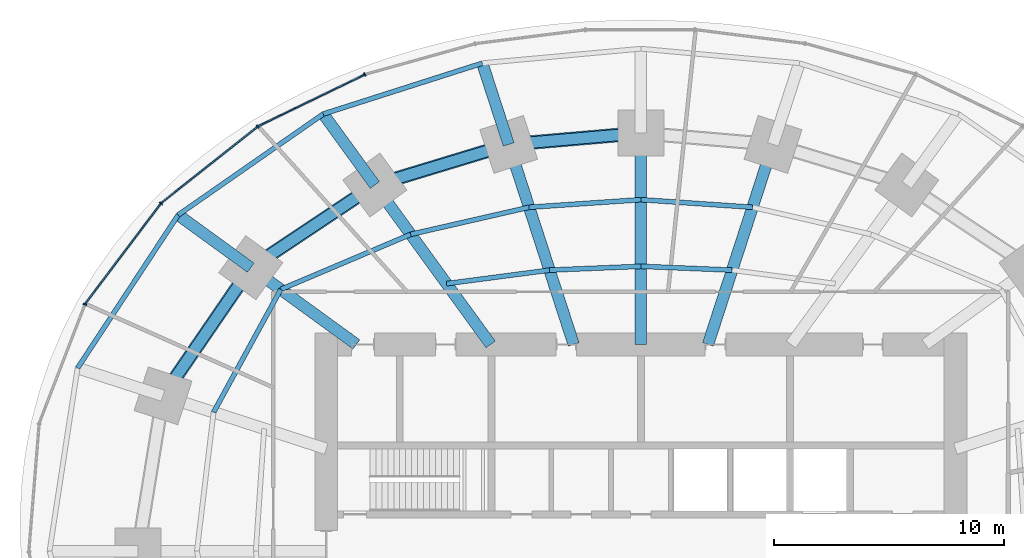
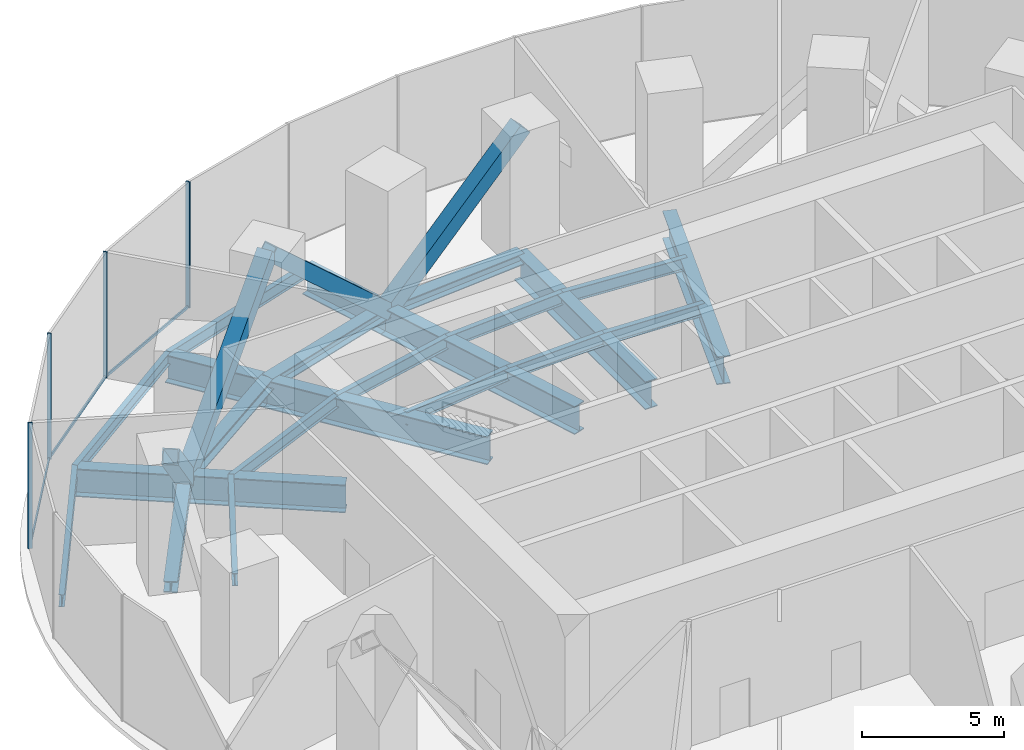
# One storey, part 7 of 13: 19 beams, 15 members, 1 element without a shape of its own.
"""IFC4 building model written with IfcOpenShell, lengths in metres."""

import ifcopenshell
import ifcopenshell.guid

model = None  # the IFC model being written
_history = None  # IfcOwnerHistory: only IFC2X3 demands one
_inside = {}  # id of a spatial element -> (the spatial element, [elements in it])
_under = {}  # id of a project, library or spatial element -> (it, [spatial elements below it])
_declared = {}  # id of a project -> (the project, [libraries it declares])
_typed = {}  # id of a type object -> (the type object, [elements of that type])
_made_of = {}  # id of a material, layer set ... -> (it, [elements and type objects made of it])


def new_model(schema):
    """Start an empty IFC model of exactly this schema.

    Asked for "IFC4X3", IfcOpenShell would pick the latest addendum, in which some entities
    have other attributes; the version numbers below select the first issue.
    IFC2X3 requires an IfcOwnerHistory on every rooted entity: one is made here for all.
    """
    global model, _history
    if schema == "IFC4X3":
        model = ifcopenshell.file(schema_version=(4, 3, 0, 0))
    else:
        model = ifcopenshell.file(schema=schema)
    _inside.clear()
    _under.clear()
    _declared.clear()
    _typed.clear()
    _made_of.clear()
    _history = None
    if model.schema == "IFC2X3":
        org = make("IfcOrganization", Name="unknown")
        user = make(
            "IfcPersonAndOrganization",
            ThePerson=make("IfcPerson", FamilyName="unknown"),
            TheOrganization=org,
        )
        app = make(
            "IfcApplication",
            ApplicationDeveloper=org,
            Version="unknown",
            ApplicationFullName="unknown",
            ApplicationIdentifier="unknown",
        )
        _history = make(
            "IfcOwnerHistory",
            OwningUser=user,
            OwningApplication=app,
            ChangeAction="ADDED",
            CreationDate=0,
        )
    return model


def make(cls, **values):
    """One entity of the class cls with the attributes given. An attribute that is None is left unset."""
    return model.create_entity(
        cls, **{name: value for name, value in values.items() if value is not None}
    )


def rooted(cls, **values):
    """An entity with a GlobalId (a new one), such as an element, a storey or a relation."""
    return make(cls, GlobalId=ifcopenshell.guid.new(), OwnerHistory=_history, **values)


def si_unit(unit_type, name, prefix=None):
    """IfcSIUnit, for example si_unit("LENGTHUNIT", "METRE", prefix="MILLI")."""
    return make("IfcSIUnit", UnitType=unit_type, Prefix=prefix, Name=name)


def assignment(units):
    """IfcUnitAssignment: the units of a project."""
    return None if units is None else make("IfcUnitAssignment", Units=units)


def point(xyz):
    """IfcCartesianPoint."""
    return None if xyz is None else make("IfcCartesianPoint", Coordinates=xyz)


def direction(xyz):
    """IfcDirection."""
    return None if xyz is None else make("IfcDirection", DirectionRatios=xyz)


def frame(location, z_axis=None, x_axis=None):
    """IfcAxis2Placement3D, a coordinate frame: its origin and axes. An axis left out is left unset."""
    return make(
        "IfcAxis2Placement3D",
        Location=point(location),
        Axis=direction(z_axis),
        RefDirection=direction(x_axis),
    )


def frame_2d(location, x_axis=None):
    """IfcAxis2Placement2D, a coordinate frame in the plane: its origin and x axis."""
    return make(
        "IfcAxis2Placement2D", Location=point(location), RefDirection=direction(x_axis)
    )


def origin():
    """The frame at (0, 0, 0) with its axes left unset."""
    return frame((0.0, 0.0, 0.0))


def origin_2d():
    """The frame at (0, 0) in the plane with its x axis left unset."""
    return frame_2d((0.0, 0.0))


def place(relative_to, where):
    """IfcLocalPlacement: puts the frame where relative to a parent placement (None: the world)."""
    return make(
        "IfcLocalPlacement", PlacementRelTo=relative_to, RelativePlacement=where
    )


def context(
    kind, dimensions, precision=None, world=None, true_north=None, identifier=None
):
    """IfcGeometricRepresentationContext, for example the 3D "Model" context."""
    return make(
        "IfcGeometricRepresentationContext",
        ContextIdentifier=identifier,
        ContextType=kind,
        CoordinateSpaceDimension=dimensions,
        Precision=precision,
        WorldCoordinateSystem=world,
        TrueNorth=true_north,
    )


def subcontext(parent, identifier, kind, view, scale=None):
    """IfcGeometricRepresentationSubContext, for example "Body" below "Model"."""
    return make(
        "IfcGeometricRepresentationSubContext",
        ContextIdentifier=identifier,
        ContextType=kind,
        ParentContext=parent,
        TargetScale=scale,
        TargetView=view,
    )


def project(units=None, contexts=None):
    """IfcProject with its units and contexts."""
    return rooted(
        "IfcProject",
        Name="project",
        RepresentationContexts=contexts,
        UnitsInContext=assignment(units),
    )


def spatial(cls, under=None, at=None, **own):
    """A site, building, storey or space (cls), placed at a placement, below another one or the project."""
    s = rooted(cls, ObjectPlacement=at, **own)
    if under is not None:
        _under.setdefault(under.id(), (under, []))[1].append(s)
    return s


def profile(cls, at=None, kind="AREA", **sizes):
    """A parametric profile (cls). Its sizes go by their IFC names, for example OverallWidth=200.0."""
    return make(cls, ProfileType=kind, Position=at, **sizes)


def rectangle(**sizes):
    """IfcRectangleProfileDef."""
    return profile("IfcRectangleProfileDef", **sizes)


def hollow_rectangle(**sizes):
    """IfcRectangleHollowProfileDef."""
    return profile("IfcRectangleHollowProfileDef", **sizes)


def i_section(**sizes):
    """IfcIShapeProfileDef."""
    return profile("IfcIShapeProfileDef", **sizes)


def extrude(swept, where, along, depth):
    """IfcExtrudedAreaSolid: the profile swept, set in the frame where, extruded along a direction by depth."""
    return make(
        "IfcExtrudedAreaSolid",
        SweptArea=swept,
        Position=where,
        ExtrudedDirection=direction(along),
        Depth=depth,
    )


def shape(context_of_items, identifier, shape_type, items):
    """IfcShapeRepresentation: the items that make up one representation, for example the "Body"."""
    return make(
        "IfcShapeRepresentation",
        ContextOfItems=context_of_items,
        RepresentationIdentifier=identifier,
        RepresentationType=shape_type,
        Items=items,
    )


def material(Name=None, Category=None):
    """IfcMaterial."""
    return make("IfcMaterial", Name=Name, Category=Category)


def material_profile(
    of_material, cross_section, Name=None, Category=None, Priority=None
):
    """IfcMaterialProfile: a cross section and its material."""
    return make(
        "IfcMaterialProfile",
        Name=Name,
        Material=of_material,
        Profile=cross_section,
        Priority=Priority,
        Category=Category,
    )


def profile_set(profiles, Name=None, composite=None):
    """IfcMaterialProfileSet."""
    return make(
        "IfcMaterialProfileSet",
        Name=Name,
        MaterialProfiles=profiles,
        CompositeProfile=composite,
    )


def made_of(thing, what):
    """Note that an element or type object is made of a material, layer set ...; save() writes the relation."""
    if what is not None:
        _made_of.setdefault(what.id(), (what, []))[1].append(thing)
    return thing


def type_object(cls, material=None, **own):
    """A type object (cls), such as IfcWallType, which elements share."""
    return made_of(rooted(cls, **own), material)


def element(
    cls,
    number,
    at=None,
    inside=None,
    cuts=None,
    type_object=None,
    material=None,
    context=None,
    identifier="Body",
    shape_type=None,
    held_by="IfcProductDefinitionShape",
    body=None,
    shapes=None,
    **own,
):
    """One element of the class cls, such as IfcWall. Its Tag is "e" and its number.

    at: its placement. inside: the storey or other place that contains it. cuts: it is an
    opening in that element (IfcRelVoidsElement). A single representation is given by context,
    identifier, shape_type and body (its items); several are given by shapes. held_by: the class
    of the entity that holds the representations. save() writes the other relations.
    """
    e = rooted(cls, Tag="e%d" % number, ObjectPlacement=at, **own)
    if body is not None:
        shapes = [shape(context, identifier, shape_type, body)]
    if shapes is not None:
        e.Representation = make(held_by, Representations=shapes)
    if inside is not None:
        _inside.setdefault(inside.id(), (inside, []))[1].append(e)
    if cuts is not None:
        rooted(
            "IfcRelVoidsElement", RelatingBuildingElement=cuts, RelatedOpeningElement=e
        )
    if type_object is not None:
        _typed.setdefault(type_object.id(), (type_object, []))[1].append(e)
    return made_of(e, material)


def aggregate(whole, parts):
    """IfcRelAggregates: a whole, such as a stair, and the parts it consists of."""
    return rooted("IfcRelAggregates", RelatingObject=whole, RelatedObjects=parts)


def save(model, path):
    """Write the relations noted so far, then the file.

    IfcRelAggregates (storeys below a building ...), IfcRelContainedInSpatialStructure (elements
    in a storey), IfcRelDefinesByType, IfcRelAssociatesMaterial and IfcRelDeclares: one each for
    every whole, place, type object, material and project.
    """
    for whole, parts in _under.values():
        aggregate(whole, parts)
    for where, things in _inside.values():
        rooted(
            "IfcRelContainedInSpatialStructure",
            RelatedElements=things,
            RelatingStructure=where,
        )
    for kind, things in _typed.values():
        rooted("IfcRelDefinesByType", RelatedObjects=things, RelatingType=kind)
    for what, things in _made_of.values():
        rooted("IfcRelAssociatesMaterial", RelatedObjects=things, RelatingMaterial=what)
    for by, libraries in _declared.values():
        rooted("IfcRelDeclares", RelatingContext=by, RelatedDefinitions=libraries)
    model.write(path)


model = new_model("IFC4")

# Units and contexts
model_context = context("Model", 3, precision=1e-05, world=origin(), true_north=direction((0.0, 1.0)))
body_context = subcontext(model_context, "Body", "Model", "MODEL_VIEW")
ifc_project = project(units=[si_unit("LENGTHUNIT", "METRE"), si_unit("AREAUNIT", "SQUARE_METRE"), si_unit("VOLUMEUNIT", "CUBIC_METRE"), si_unit("PLANEANGLEUNIT", "RADIAN"), si_unit("MASSUNIT", "GRAM", prefix="KILO")], contexts=[model_context])

# Site, building, storey
site_placement = place(None, origin())
site = spatial("IfcSite", under=ifc_project, at=site_placement, CompositionType="ELEMENT")
building_placement = place(site_placement, origin())
building = spatial("IfcBuilding", under=site, at=building_placement, Name="Marramba Exchange Tower", CompositionType="ELEMENT")
storey_placement = place(building_placement, frame((0.0, 0.0, 86.800048828125)))
storey = spatial("IfcBuildingStorey", under=building, at=storey_placement, Name="L20", CompositionType="ELEMENT", Elevation=86.800048828125)

# Members
ifc_material_1 = material(Name="Steel AS/NZS 3679.2 grade 300", Category="steel")
ifc_material_profile_1 = material_profile(ifc_material_1, i_section(OverallWidth=0.5, OverallDepth=0.47998046875, WebThickness=0.0400390625, FlangeThickness=0.0400390625, at=origin_2d()), Name="500WC440")
ifc_profile_set_1 = profile_set([ifc_material_profile_1], Name="Steel AS/NZS 3679.2 grade 300")
member_type_1 = type_object("IfcMemberType", Name="Belt truss chord 500WC440", PredefinedType="CHORD", material=ifc_profile_set_1)
member_1_placement = place(storey_placement, frame((0.0, 18.2041015625, -0.43994140625), z_axis=(-0.996311003275, -0.085815993578, 0.0), x_axis=(0.085815993578, -0.996311003275, 0.0)))
element("IfcMember", 1, at=member_1_placement, inside=storey, type_object=member_type_1, Name="Belt chord L20 TC06-TC07", PredefinedType="CHORD", context=body_context, shape_type="SweptSolid", body=[
    extrude(i_section(OverallWidth=0.5, OverallDepth=0.47998046875, WebThickness=0.0400390625, FlangeThickness=0.0400390625, at=origin_2d()), origin(), (0.0, 0.0, 1.0), 5.775146484375),
])
member_2_placement = place(storey_placement, frame((-5.75390625, 17.70849609375, -0.43994140625), z_axis=(-0.956924542524, -0.290336735387, 0.0), x_axis=(0.290336735387, -0.956924542524, 0.0)))
element("IfcMember", 2, at=member_2_placement, inside=storey, type_object=member_type_1, Name="Belt chord L20 TC07-TC08", PredefinedType="CHORD", context=body_context, shape_type="SweptSolid", body=[
    extrude(i_section(OverallWidth=0.5, OverallDepth=0.47998046875, WebThickness=0.0400390625, FlangeThickness=0.0400390625, at=origin_2d()), origin(), (0.0, 0.0, 1.0), 6.089599609375),
])
member_3_placement = place(storey_placement, frame((-11.581298828125, 15.9404296875, -0.43994140625), z_axis=(-0.832293151443, -0.554335737673, 0.0), x_axis=(0.554335737673, -0.832293151443, 0.0)))
element("IfcMember", 3, at=member_3_placement, inside=storey, type_object=member_type_1, Name="Belt chord L20 TC08-TC09", PredefinedType="CHORD", context=body_context, shape_type="SweptSolid", body=[
    extrude(i_section(OverallWidth=0.5, OverallDepth=0.47998046875, WebThickness=0.0400390625, FlangeThickness=0.0400390625, at=origin_2d()), origin(), (0.0, 0.0, 1.0), 6.49365234375),
])
member_4_placement = place(storey_placement, frame((-16.98583984375, 12.3408203125, -0.43994140625), z_axis=(-0.56516002054, -0.824981303535, 0.0), x_axis=(0.824981303535, -0.56516002054, 0.0)))
element("IfcMember", 4, at=member_4_placement, inside=storey, type_object=member_type_1, Name="Belt chord L20 TC09-TC10", PredefinedType="CHORD", context=body_context, shape_type="SweptSolid", body=[
    extrude(i_section(OverallWidth=0.5, OverallDepth=0.47998046875, WebThickness=0.0400390625, FlangeThickness=0.0400390625, at=origin_2d()), origin(), (0.0, 0.0, 1.0), 6.763671875),
])
ifc_material_2 = material(Name="Steel AS/NZS 3678 grade 350", Category="steel")
ifc_material_profile_2 = material_profile(ifc_material_2, hollow_rectangle(XDim=0.60009765625, YDim=0.60009765625, WallThickness=0.0400390625, at=origin_2d()), Name="600x600x40BOX")
ifc_profile_set_2 = profile_set([ifc_material_profile_2], Name="Steel AS/NZS 3678 grade 350")
member_type_2 = type_object("IfcMemberType", Name="Belt truss diagonal 600x600x40BOX", PredefinedType="BRACE", material=ifc_profile_set_2)
member_5_placement = place(storey_placement, frame((0.0, 18.2041015625, 5.159912109375), z_axis=(-0.715273791372, -0.061609207251, -0.696123343207), x_axis=(0.085815993578, -0.996311003275, 0.0)))
element("IfcMember", 5, at=member_5_placement, inside=storey, type_object=member_type_2, Name="Belt truss BT20 diagonal 06", PredefinedType="BRACE", context=body_context, shape_type="SweptSolid", body=[
    extrude(hollow_rectangle(XDim=0.60009765625, YDim=0.60009765625, WallThickness=0.0400390625, at=origin_2d()), origin(), (0.0, 0.0, 1.0), 8.04443359375),
])
member_6_placement = place(storey_placement, frame((-5.75390625, 17.70849609375, -0.43994140625), z_axis=(-0.704384845581, -0.213714652968, 0.676881109518), x_axis=(0.290336735387, -0.956924542524, 0.0)))
element("IfcMember", 6, at=member_6_placement, inside=storey, type_object=member_type_2, Name="Belt truss BT20 diagonal 07", PredefinedType="BRACE", context=body_context, shape_type="SweptSolid", body=[
    extrude(hollow_rectangle(XDim=0.60009765625, YDim=0.60009765625, WallThickness=0.0400390625, at=origin_2d()), origin(), (0.0, 0.0, 1.0), 8.27294921875),
])
member_7_placement = place(storey_placement, frame((-11.581298828125, 15.9404296875, 5.159912109375), z_axis=(-0.630292951441, -0.419796687719, -0.653070850937), x_axis=(0.554335737673, -0.832293151443, 0.0)))
element("IfcMember", 7, at=member_7_placement, inside=storey, type_object=member_type_2, Name="Belt truss BT20 diagonal 08", PredefinedType="BRACE", context=body_context, shape_type="SweptSolid", body=[
    extrude(hollow_rectangle(XDim=0.60009765625, YDim=0.60009765625, WallThickness=0.0400390625, at=origin_2d()), origin(), (0.0, 0.0, 1.0), 8.57470703125),
])
member_8_placement = place(storey_placement, frame((-16.98583984375, 12.3408203125, -0.43994140625), z_axis=(-0.435320155783, -0.635450096469, 0.63772998743), x_axis=(0.824981303535, -0.56516002054, 0.0)))
element("IfcMember", 8, at=member_8_placement, inside=storey, type_object=member_type_2, Name="Belt truss BT20 diagonal 09", PredefinedType="BRACE", context=body_context, shape_type="SweptSolid", body=[
    extrude(hollow_rectangle(XDim=0.60009765625, YDim=0.60009765625, WallThickness=0.0400390625, at=origin_2d()), origin(), (0.0, 0.0, 1.0), 8.781005859375),
])

# Beams
ifc_material_profile_3 = material_profile(ifc_material_1, i_section(OverallWidth=0.5, OverallDepth=1.199951171875, WebThickness=0.01611328125, FlangeThickness=0.0400390625, at=origin_2d()), Name="1200WB455")
ifc_profile_set_3 = profile_set([ifc_material_profile_3], Name="Steel AS/NZS 3679.2 grade 300")
beam_type_1 = type_object("IfcBeamType", Name="Cantilever girder 1200WB455", PredefinedType="BEAM", material=ifc_profile_set_3)
beam_1_placement = place(storey_placement, frame((-5.75390625, 17.70849609375, -0.800048828125), z_axis=(-0.308973290646, 0.951070715387, 0.0), x_axis=(-0.951070715387, -0.308973290646, 0.0)))
element("IfcBeam", 9, at=beam_1_placement, inside=storey, type_object=beam_type_1, Name="Cantilever girder L20 TC07", PredefinedType="BEAM", context=body_context, shape_type="SweptSolid", body=[
    extrude(i_section(OverallWidth=0.5, OverallDepth=1.199951171875, WebThickness=0.01611328125, FlangeThickness=0.0400390625, at=origin_2d()), origin(), (0.0, 0.0, 1.0), 3.72021484375),
])
beam_2_placement = place(storey_placement, frame((-11.581298828125, 15.9404296875, -0.800048828125), z_axis=(-0.587795827483, 0.809009310944, 0.0), x_axis=(-0.809009310944, -0.587795827483, 0.0)))
element("IfcBeam", 10, at=beam_2_placement, inside=storey, type_object=beam_type_1, Name="Cantilever girder L20 TC08", PredefinedType="BEAM", context=body_context, shape_type="SweptSolid", body=[
    extrude(i_section(OverallWidth=0.5, OverallDepth=1.199951171875, WebThickness=0.01611328125, FlangeThickness=0.0400390625, at=origin_2d()), origin(), (0.0, 0.0, 1.0), 3.82421875),
])
beam_3_placement = place(storey_placement, frame((-16.98583984375, 12.3408203125, -0.800048828125), z_axis=(-0.808987260856, 0.587826174793, 0.0), x_axis=(-0.587826174793, -0.808987260856, 0.0)))
element("IfcBeam", 11, at=beam_3_placement, inside=storey, type_object=beam_type_1, Name="Cantilever girder L20 TC09", PredefinedType="BEAM", context=body_context, shape_type="SweptSolid", body=[
    extrude(i_section(OverallWidth=0.5, OverallDepth=1.199951171875, WebThickness=0.01611328125, FlangeThickness=0.0400390625, at=origin_2d()), origin(), (0.0, 0.0, 1.0), 3.90771484375),
])
ifc_material_3 = material(Name="Steel AS/NZS 3679.1 grade 300", Category="steel")
ifc_material_profile_4 = material_profile(ifc_material_3, i_section(OverallWidth=0.208984375, OverallDepth=0.532958984375, WebThickness=0.01025390625, FlangeThickness=0.015625, FilletRadius=0.013916015625, at=origin_2d()), Name="530UB92.4")
ifc_profile_set_4 = profile_set([ifc_material_profile_4], Name="Steel AS/NZS 3679.1 grade 300")
beam_type_2 = type_object("IfcBeamType", Name="Floor joist 530UB92.4", PredefinedType="JOIST", material=ifc_profile_set_4)
beam_4_placement = place(storey_placement, frame((3.975830078125, 12.236083984375, -0.466552734375), z_axis=(-0.999137002892, 0.041536122257, 0.0), x_axis=(-0.041536122257, -0.999137002892, 0.0)))
element("IfcBeam", 12, at=beam_4_placement, inside=storey, type_object=beam_type_2, Name="Joist L20 bay 05 row 1", PredefinedType="JOIST", context=body_context, shape_type="SweptSolid", body=[
    extrude(i_section(OverallWidth=0.208984375, OverallDepth=0.532958984375, WebThickness=0.01025390625, FlangeThickness=0.015625, FilletRadius=0.013916015625, at=origin_2d()), origin(), (0.0, 0.0, 1.0), 3.979248046875),
])
beam_5_placement = place(storey_placement, frame((4.86474609375, 14.972412109375, -0.466552734375), z_axis=(-0.997702652202, 0.067745241816, 0.0), x_axis=(-0.067745241816, -0.997702652202, 0.0)))
element("IfcBeam", 13, at=beam_5_placement, inside=storey, type_object=beam_type_2, Name="Joist L20 bay 05 row 2", PredefinedType="JOIST", context=body_context, shape_type="SweptSolid", body=[
    extrude(i_section(OverallWidth=0.208984375, OverallDepth=0.532958984375, WebThickness=0.01025390625, FlangeThickness=0.015625, FilletRadius=0.013916015625, at=origin_2d()), origin(), (0.0, 0.0, 1.0), 4.8759765625),
])
beam_6_placement = place(storey_placement, frame((0.0, 12.4013671875, -0.466552734375), z_axis=(-0.999137002892, -0.041536122257, 0.0), x_axis=(0.041536122257, -0.999137002892, 0.0)))
element("IfcBeam", 14, at=beam_6_placement, inside=storey, type_object=beam_type_2, Name="Joist L20 bay 06 row 1", PredefinedType="JOIST", context=body_context, shape_type="SweptSolid", body=[
    extrude(i_section(OverallWidth=0.208984375, OverallDepth=0.532958984375, WebThickness=0.01025390625, FlangeThickness=0.015625, FilletRadius=0.013916015625, at=origin_2d()), origin(), (0.0, 0.0, 1.0), 3.979248046875),
])
beam_7_placement = place(storey_placement, frame((0.0, 15.302734375, -0.466552734375), z_axis=(-0.997702652202, -0.067745241816, 0.0), x_axis=(0.067745241816, -0.997702652202, 0.0)))
element("IfcBeam", 15, at=beam_7_placement, inside=storey, type_object=beam_type_2, Name="Joist L20 bay 06 row 2", PredefinedType="JOIST", context=body_context, shape_type="SweptSolid", body=[
    extrude(i_section(OverallWidth=0.208984375, OverallDepth=0.532958984375, WebThickness=0.01025390625, FlangeThickness=0.015625, FilletRadius=0.013916015625, at=origin_2d()), origin(), (0.0, 0.0, 1.0), 4.8759765625),
])
beam_8_placement = place(storey_placement, frame((-3.975830078125, 12.236083984375, -0.466552734375), z_axis=(-0.991480538255, -0.130254912618, 0.0), x_axis=(0.130254912618, -0.991480538255, 0.0)))
element("IfcBeam", 16, at=beam_8_placement, inside=storey, type_object=beam_type_2, Name="Joist L20 bay 07 row 1", PredefinedType="JOIST", context=body_context, shape_type="SweptSolid", body=[
    extrude(i_section(OverallWidth=0.208984375, OverallDepth=0.532958984375, WebThickness=0.01025390625, FlangeThickness=0.015625, FilletRadius=0.013916015625, at=origin_2d()), origin(), (0.0, 0.0, 1.0), 4.524658203125),
])
beam_9_placement = place(storey_placement, frame((-4.86474609375, 14.972412109375, -0.466552734375), z_axis=(-0.974859652292, -0.222819788916, 0.0), x_axis=(0.222819788916, -0.974859652292, 0.0)))
element("IfcBeam", 17, at=beam_9_placement, inside=storey, type_object=beam_type_2, Name="Joist L20 bay 07 row 2", PredefinedType="JOIST", context=body_context, shape_type="SweptSolid", body=[
    extrude(i_section(OverallWidth=0.208984375, OverallDepth=0.532958984375, WebThickness=0.01025390625, FlangeThickness=0.015625, FilletRadius=0.013916015625, at=origin_2d()), origin(), (0.0, 0.0, 1.0), 5.2900390625),
])
beam_10_placement = place(storey_placement, frame((-10.021728515625, 13.793701171875, -0.466552734375), z_axis=(-0.920674336375, -0.390331610738, 0.0), x_axis=(0.390331610738, -0.920674336375, 0.0)))
element("IfcBeam", 18, at=beam_10_placement, inside=storey, type_object=beam_type_2, Name="Joist L20 bay 08 row 2", PredefinedType="JOIST", context=body_context, shape_type="SweptSolid", body=[
    extrude(i_section(OverallWidth=0.208984375, OverallDepth=0.532958984375, WebThickness=0.01025390625, FlangeThickness=0.015625, FilletRadius=0.013916015625, at=origin_2d()), origin(), (0.0, 0.0, 1.0), 6.1484375),
])
beam_11_placement = place(storey_placement, frame((-15.682373046875, 11.393798828125, -0.466552734375), z_axis=(-0.479584443791, -0.877495732909, 0.0), x_axis=(0.877495732909, -0.479584443791, 0.0)))
element("IfcBeam", 19, at=beam_11_placement, inside=storey, type_object=beam_type_2, Name="Joist L20 bay 09 row 2", PredefinedType="JOIST", context=body_context, shape_type="SweptSolid", body=[
    extrude(i_section(OverallWidth=0.208984375, OverallDepth=0.532958984375, WebThickness=0.01025390625, FlangeThickness=0.015625, FilletRadius=0.013916015625, at=origin_2d()), origin(), (0.0, 0.0, 1.0), 6.094970703125),
])

# Curtain wall, members
ifc_material_4 = material(Name="Aluminium framing, bronze anodised", Category="aluminium")
curtain_wall_type = type_object("IfcCurtainWallType", Name="Plant floor louvred curtain wall", PredefinedType="USERDEFINED", material=ifc_material_4)
curtain_wall_placement = place(storey_placement, origin())
curtain_wall = element("IfcCurtainWall", 20, at=curtain_wall_placement, inside=storey, type_object=curtain_wall_type, Name="Curtain wall CW6 L20 F11-F15", ObjectType="RIBBON CURTAIN WALL", PredefinedType="USERDEFINED")
ifc_material_5 = material(Name="Aluminium mullion, bronze anodised", Category="aluminium")
ifc_material_profile_5 = material_profile(ifc_material_5, rectangle(XDim=0.159912109375, YDim=0.06005859375, at=origin_2d()), Name="CW6 mullion 60x160")
ifc_profile_set_5 = profile_set([ifc_material_profile_5], Name="Aluminium mullion, bronze anodised")
member_type_3 = type_object("IfcMemberType", Name="Plant floor louvred curtain wall mullion", PredefinedType="MULLION", material=ifc_profile_set_5)
member_9_placement = place(storey_placement, frame((-12.016357421875, 20.7529296875, 0.0), z_axis=(0.0, 0.0, 1.0), x_axis=(0.43596538664, -0.899963433508, 0.0)))
member_9 = element("IfcMember", 21, at=member_9_placement, type_object=member_type_3, Name="CW6 mullion 1", PredefinedType="MULLION", context=body_context, shape_type="SweptSolid", body=[
    extrude(rectangle(XDim=0.159912109375, YDim=0.06005859375, at=origin_2d()), origin(), (0.0, 0.0, 1.0), 5.39990234375),
])
member_10_placement = place(storey_placement, frame((-16.683837890625, 18.484619140625, 0.0), z_axis=(0.0, 0.0, 1.0), x_axis=(0.620649730166, -0.784087949432, 0.0)))
member_10 = element("IfcMember", 22, at=member_10_placement, type_object=member_type_3, Name="CW6 mullion 1", PredefinedType="MULLION", context=body_context, shape_type="SweptSolid", body=[
    extrude(rectangle(XDim=0.159912109375, YDim=0.06005859375, at=origin_2d()), origin(), (0.0, 0.0, 1.0), 5.39990234375),
])
member_11_placement = place(storey_placement, frame((-20.8935546875, 15.142822265625, 0.0), z_axis=(0.0, 0.0, 1.0), x_axis=(0.797748922445, -0.602989765036, 0.0)))
member_11 = element("IfcMember", 23, at=member_11_placement, type_object=member_type_3, Name="CW6 mullion 1", PredefinedType="MULLION", context=body_context, shape_type="SweptSolid", body=[
    extrude(rectangle(XDim=0.159912109375, YDim=0.06005859375, at=origin_2d()), origin(), (0.0, 0.0, 1.0), 5.39990234375),
])
member_12_placement = place(storey_placement, frame((-24.207275390625, 10.7451171875, 0.0), z_axis=(0.0, 0.0, 1.0), x_axis=(0.933135256626, -0.359525510698, 0.0)))
member_12 = element("IfcMember", 24, at=member_12_placement, type_object=member_type_3, Name="CW6 mullion 1", PredefinedType="MULLION", context=body_context, shape_type="SweptSolid", body=[
    extrude(rectangle(XDim=0.159912109375, YDim=0.06005859375, at=origin_2d()), origin(), (0.0, 0.0, 1.0), 5.39990234375),
])
ifc_material_6 = material(Name="Aluminium transom, bronze anodised", Category="aluminium")
ifc_material_profile_6 = material_profile(ifc_material_6, rectangle(XDim=0.06005859375, YDim=0.1201171875, at=origin_2d()), Name="CW6 transom 60x120")
ifc_profile_set_6 = profile_set([ifc_material_profile_6], Name="Aluminium transom, bronze anodised")
member_type_4 = type_object("IfcMemberType", Name="Plant floor louvred curtain wall transom", PredefinedType="USERDEFINED", material=ifc_profile_set_6)
member_13_placement = place(storey_placement, frame((-12.043212890625, 20.739990234375, 0.030029296875), z_axis=(-0.89995331781, -0.43598626786, 0.0), x_axis=(0.43598626786, -0.89995331781, 0.0)))
member_13 = element("IfcMember", 25, at=member_13_placement, type_object=member_type_4, Name="CW6 sill transom", ObjectType="TRANSOM", PredefinedType="USERDEFINED", context=body_context, shape_type="SweptSolid", body=[
    extrude(rectangle(XDim=0.06005859375, YDim=0.1201171875, at=origin_2d()), origin(), (0.0, 0.0, 1.0), 5.13037109375),
])
member_14_placement = place(storey_placement, frame((-16.70751953125, 18.466064453125, 0.030029296875), z_axis=(-0.784075625018, -0.620665299701, 0.0), x_axis=(0.620665299701, -0.784075625018, 0.0)))
member_14 = element("IfcMember", 26, at=member_14_placement, type_object=member_type_4, Name="CW6 sill transom", ObjectType="TRANSOM", PredefinedType="USERDEFINED", context=body_context, shape_type="SweptSolid", body=[
    extrude(rectangle(XDim=0.06005859375, YDim=0.1201171875, at=origin_2d()), origin(), (0.0, 0.0, 1.0), 5.315673828125),
])
member_15_placement = place(storey_placement, frame((-20.91162109375, 15.118896484375, 0.030029296875), z_axis=(-0.602985866158, -0.797751869452, 0.0), x_axis=(0.797751869452, -0.602985866158, 0.0)))
member_15 = element("IfcMember", 27, at=member_15_placement, type_object=member_type_4, Name="CW6 sill transom", ObjectType="TRANSOM", PredefinedType="USERDEFINED", context=body_context, shape_type="SweptSolid", body=[
    extrude(rectangle(XDim=0.06005859375, YDim=0.1201171875, at=origin_2d()), origin(), (0.0, 0.0, 1.0), 5.44775390625),
])
aggregate(curtain_wall, [member_9, member_13, member_10, member_14, member_11, member_15, member_12])

# Beams
ifc_material_profile_7 = material_profile(ifc_material_1, i_section(OverallWidth=0.5, OverallDepth=1.199951171875, WebThickness=0.01611328125, FlangeThickness=0.0400390625, at=origin_2d()), Name="1200WB455")
ifc_profile_set_7 = profile_set([ifc_material_profile_7], Name="Steel AS/NZS 3679.2 grade 300")
beam_type_3 = type_object("IfcBeamType", Name="Radial girder 1200WB455", PredefinedType="BEAM", material=ifc_profile_set_7)
beam_12_placement = place(storey_placement, frame((2.92431640625, 9.0, -0.800048828125), z_axis=(0.309019754162, 0.951055619582, 0.0), x_axis=(-0.951055619582, 0.309019754162, 0.0)))
element("IfcBeam", 28, at=beam_12_placement, inside=storey, type_object=beam_type_3, Name="Radial girder L20 TC05", PredefinedType="BEAM", context=body_context, shape_type="SweptSolid", body=[
    extrude(i_section(OverallWidth=0.5, OverallDepth=1.199951171875, WebThickness=0.01611328125, FlangeThickness=0.0400390625, at=origin_2d()), origin(), (0.0, 0.0, 1.0), 9.15673828125),
])
beam_13_placement = place(storey_placement, frame((0.0, 9.0, -0.800048828125), z_axis=(0.0, 1.0, 0.0), x_axis=(-1.0, 0.0, 0.0)))
element("IfcBeam", 29, at=beam_13_placement, inside=storey, type_object=beam_type_3, Name="Radial girder L20 TC06", PredefinedType="BEAM", context=body_context, shape_type="SweptSolid", body=[
    extrude(i_section(OverallWidth=0.5, OverallDepth=1.199951171875, WebThickness=0.01611328125, FlangeThickness=0.0400390625, at=origin_2d()), origin(), (0.0, 0.0, 1.0), 9.2041015625),
])
beam_14_placement = place(storey_placement, frame((-2.92431640625, 9.0, -0.800048828125), z_axis=(-0.309019754162, 0.951055619582, 0.0), x_axis=(-0.951055619582, -0.309019754162, 0.0)))
element("IfcBeam", 30, at=beam_14_placement, inside=storey, type_object=beam_type_3, Name="Radial girder L20 TC07", PredefinedType="BEAM", context=body_context, shape_type="SweptSolid", body=[
    extrude(i_section(OverallWidth=0.5, OverallDepth=1.199951171875, WebThickness=0.01611328125, FlangeThickness=0.0400390625, at=origin_2d()), origin(), (0.0, 0.0, 1.0), 9.15673828125),
])
beam_15_placement = place(storey_placement, frame((-6.538818359375, 9.0, -0.800048828125), z_axis=(-0.587782439969, 0.80901903764, 0.0), x_axis=(-0.80901903764, -0.587782439969, 0.0)))
element("IfcBeam", 31, at=beam_15_placement, inside=storey, type_object=beam_type_3, Name="Radial girder L20 TC08", PredefinedType="BEAM", context=body_context, shape_type="SweptSolid", body=[
    extrude(i_section(OverallWidth=0.5, OverallDepth=1.199951171875, WebThickness=0.01611328125, FlangeThickness=0.0400390625, at=origin_2d()), origin(), (0.0, 0.0, 1.0), 8.578857421875),
])
beam_16_placement = place(storey_placement, frame((-12.387451171875, 9.0, -0.800048828125), z_axis=(-0.809025746925, 0.587773205252, 0.0), x_axis=(-0.587773205252, -0.809025746925, 0.0)))
element("IfcBeam", 32, at=beam_16_placement, inside=storey, type_object=beam_type_3, Name="Radial girder L20 TC09", PredefinedType="BEAM", context=body_context, shape_type="SweptSolid", body=[
    extrude(i_section(OverallWidth=0.5, OverallDepth=1.199951171875, WebThickness=0.01611328125, FlangeThickness=0.0400390625, at=origin_2d()), origin(), (0.0, 0.0, 1.0), 5.683837890625),
])
ifc_material_profile_8 = material_profile(ifc_material_3, i_section(OverallWidth=0.208984375, OverallDepth=0.528076171875, WebThickness=0.009521484375, FlangeThickness=0.01318359375, FilletRadius=0.013916015625, at=origin_2d()), Name="530UB82.0")
ifc_profile_set_8 = profile_set([ifc_material_profile_8], Name="Steel AS/NZS 3679.1 grade 300")
beam_type_4 = type_object("IfcBeamType", Name="Slab edge beam 530UB82.0", PredefinedType="SPANDREL", material=ifc_profile_set_8)
beam_17_placement = place(storey_placement, frame((-6.9033203125, 21.24658203125, -0.464111328125), z_axis=(-0.952577642997, -0.304295635957, 0.0), x_axis=(0.304295635957, -0.952577642997, 0.0)))
element("IfcBeam", 33, at=beam_17_placement, inside=storey, type_object=beam_type_4, Name="Slab edge beam L20 TC07-TC08", PredefinedType="SPANDREL", context=body_context, shape_type="SweptSolid", body=[
    extrude(i_section(OverallWidth=0.208984375, OverallDepth=0.528076171875, WebThickness=0.009521484375, FlangeThickness=0.01318359375, FilletRadius=0.013916015625, at=origin_2d()), origin(), (0.0, 0.0, 1.0), 7.2705078125),
])
beam_18_placement = place(storey_placement, frame((-13.8291015625, 19.0341796875, -0.464111328125), z_axis=(-0.820842487183, -0.571154629882, 0.0), x_axis=(0.571154629882, -0.820842487183, 0.0)))
element("IfcBeam", 34, at=beam_18_placement, inside=storey, type_object=beam_type_4, Name="Slab edge beam L20 TC08-TC09", PredefinedType="SPANDREL", context=body_context, shape_type="SweptSolid", body=[
    extrude(i_section(OverallWidth=0.208984375, OverallDepth=0.528076171875, WebThickness=0.009521484375, FlangeThickness=0.01318359375, FilletRadius=0.013916015625, at=origin_2d()), origin(), (0.0, 0.0, 1.0), 7.697021484375),
])
beam_19_placement = place(storey_placement, frame((-20.147216796875, 14.637939453125, -0.464111328125), z_axis=(-0.549123544095, -0.835741188001, 0.0), x_axis=(0.835741188001, -0.549123544095, 0.0)))
element("IfcBeam", 35, at=beam_19_placement, inside=storey, type_object=beam_type_4, Name="Slab edge beam L20 TC09-TC10", PredefinedType="SPANDREL", context=body_context, shape_type="SweptSolid", body=[
    extrude(i_section(OverallWidth=0.208984375, OverallDepth=0.528076171875, WebThickness=0.009521484375, FlangeThickness=0.01318359375, FilletRadius=0.013916015625, at=origin_2d()), origin(), (0.0, 0.0, 1.0), 7.978759765625),
])

save(model, "model.ifc")
